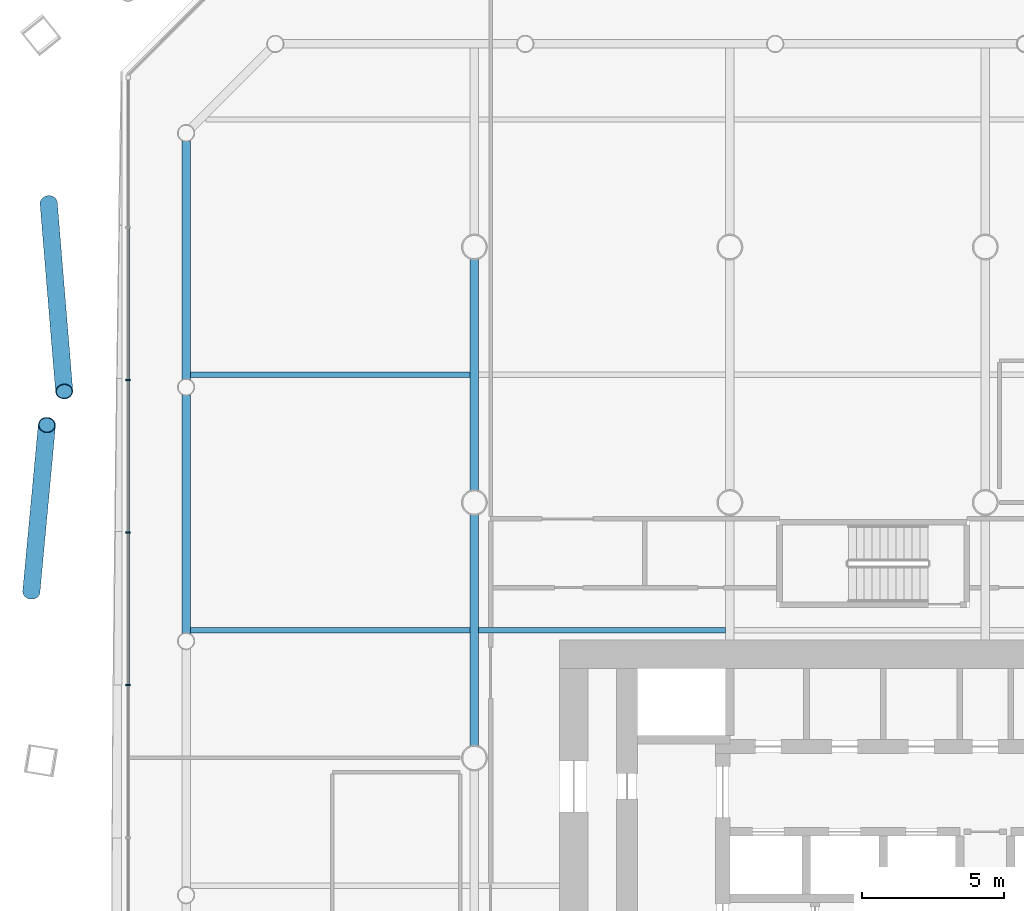
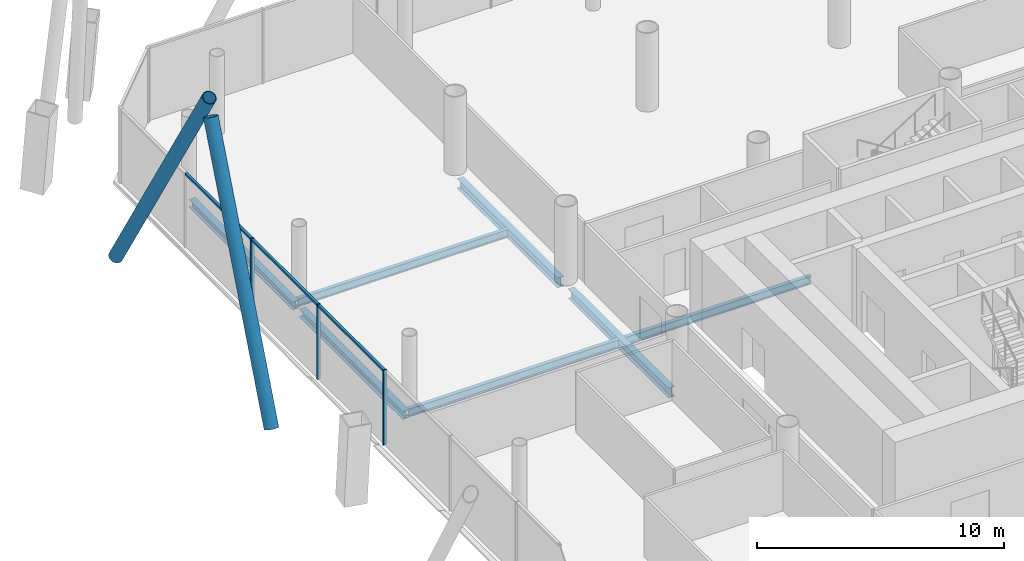
# One storey, part 10 of 25: 8 members, 7 beams, 1 element without a shape of its own.
"""IFC4 building model written with IfcOpenShell, lengths in metres."""

from ifc_helpers import new_model, si_unit, direction, frame, origin, origin_2d, place, context, subcontext, project, spatial, rectangle, hollow_circle, i_section, extrude, material, material_profile, profile_set, type_object, element, aggregate, save


model = new_model("IFC4")

# Units and contexts
model_context = context("Model", 3, precision=1e-05, world=origin(), true_north=direction((0.0, 1.0)))
body_context = subcontext(model_context, "Body", "Model", "MODEL_VIEW")
ifc_project = project(units=[si_unit("LENGTHUNIT", "METRE"), si_unit("AREAUNIT", "SQUARE_METRE"), si_unit("VOLUMEUNIT", "CUBIC_METRE"), si_unit("PLANEANGLEUNIT", "RADIAN"), si_unit("MASSUNIT", "GRAM", prefix="KILO")], contexts=[model_context])

# Site, building, storey
site_placement = place(None, origin())
site = spatial("IfcSite", under=ifc_project, at=site_placement, CompositionType="ELEMENT")
building_placement = place(site_placement, origin())
building = spatial("IfcBuilding", under=site, at=building_placement, Name="Tskaro Facet Tower", CompositionType="ELEMENT")
storey_placement = place(building_placement, frame((0.0, 0.0, 22.5)))
storey = spatial("IfcBuildingStorey", under=building, at=storey_placement, Name="L04", CompositionType="ELEMENT", Elevation=22.5)

# Members
ifc_material_1 = material(Name="Steel S355J2H", Category="steel")
ifc_material_profile_1 = material_profile(ifc_material_1, hollow_circle(Radius=0.304931640625, WallThickness=0.030029296875, at=origin_2d()), Name="CHS 610x30")
ifc_profile_set_1 = profile_set([ifc_material_profile_1], Name="Steel S355J2H")
member_type_1 = type_object("IfcMemberType", Name="CHS 610x30 brace", PredefinedType="BRACE", material=ifc_profile_set_1)
member_1_placement = place(storey_placement, frame((-32.997314453125, 19.546142578125, 0.0), z_axis=(0.040698346843, -0.492859882113, 0.869156361748), x_axis=(0.996607948035, 0.082295795231, 0.0)))
element("IfcMember", 1, at=member_1_placement, inside=storey, type_object=member_type_1, Name="CHS 610x30 XB10A/1", PredefinedType="BRACE", context=body_context, shape_type="SweptSolid", body=[
    extrude(hollow_circle(Radius=0.304931640625, WallThickness=0.030029296875, at=origin_2d()), origin(), (0.0, 0.0, 1.0), 13.461181640625),
])
member_2_placement = place(storey_placement, frame((-33.607177734375, 5.86572265625, 0.0), z_axis=(0.041803867485, 0.44778409282, 0.893163950728), x_axis=(-0.995670497029, 0.092953006112, 0.0)))
element("IfcMember", 2, at=member_2_placement, inside=storey, type_object=member_type_1, Name="CHS 610x30 XB10B/1", PredefinedType="BRACE", context=body_context, shape_type="SweptSolid", body=[
    extrude(hollow_circle(Radius=0.304931640625, WallThickness=0.030029296875, at=origin_2d()), origin(), (0.0, 0.0, 1.0), 13.099365234375),
])

# Curtain wall, members
ifc_material_2 = material(Name="Bronze anodised aluminium 6063-T6", Category="aluminium")
curtain_wall_type = type_object("IfcCurtainWallType", Name="Bronze office curtain wall (FW1)", PredefinedType="NOTDEFINED", material=ifc_material_2)
curtain_wall_placement = place(storey_placement, origin())
curtain_wall = element("IfcCurtainWall", 3, at=curtain_wall_placement, inside=storey, type_object=curtain_wall_type, Name="FW1 west facet L04", PredefinedType="NOTDEFINED")
ifc_material_profile_2 = material_profile(ifc_material_2, rectangle(XDim=0.06005859375, YDim=0.159912109375, at=origin_2d()), Name="Mullion 60x160")
ifc_profile_set_2 = profile_set([ifc_material_profile_2], Name="Bronze anodised aluminium 6063-T6")
member_type_2 = type_object("IfcMemberType", Name="FW1 bronze mullion 60x160", PredefinedType="MULLION", material=ifc_profile_set_2)
member_3_placement = place(storey_placement, frame((-30.201904296875, 13.31689453125, 0.0), z_axis=(0.0, 0.0, 1.0), x_axis=(0.0, -1.0, 0.0)))
member_3 = element("IfcMember", 4, at=member_3_placement, type_object=member_type_2, Name="FW1 west mullion 2", PredefinedType="MULLION", context=body_context, shape_type="SweptSolid", body=[
    extrude(rectangle(XDim=0.06005859375, YDim=0.159912109375, at=origin_2d()), origin(), (0.0, 0.0, 1.0), 3.699951171875),
])
member_4_placement = place(storey_placement, frame((-30.201904296875, 7.9423828125, 0.0), z_axis=(0.0, 0.0, 1.0), x_axis=(0.0, -1.0, 0.0)))
member_4 = element("IfcMember", 5, at=member_4_placement, type_object=member_type_2, Name="FW1 west mullion 3", PredefinedType="MULLION", context=body_context, shape_type="SweptSolid", body=[
    extrude(rectangle(XDim=0.06005859375, YDim=0.159912109375, at=origin_2d()), origin(), (0.0, 0.0, 1.0), 3.699951171875),
])
member_5_placement = place(storey_placement, frame((-30.201904296875, 2.56787109375, 0.0), z_axis=(0.0, 0.0, 1.0), x_axis=(0.0, -1.0, 0.0)))
member_5 = element("IfcMember", 6, at=member_5_placement, type_object=member_type_2, Name="FW1 west mullion 4", PredefinedType="MULLION", context=body_context, shape_type="SweptSolid", body=[
    extrude(rectangle(XDim=0.06005859375, YDim=0.159912109375, at=origin_2d()), origin(), (0.0, 0.0, 1.0), 3.699951171875),
])
ifc_material_profile_3 = material_profile(ifc_material_2, rectangle(XDim=0.1201171875, YDim=0.10009765625, at=origin_2d()), Name="Transom 120x100")
ifc_profile_set_3 = profile_set([ifc_material_profile_3], Name="Bronze anodised aluminium 6063-T6")
member_type_3 = type_object("IfcMemberType", Name="FW1 bronze transom 120x100", PredefinedType="USERDEFINED", material=ifc_profile_set_3)
member_6_placement = place(storey_placement, frame((-30.201904296875, 18.661376953125, 3.64990234375), z_axis=(0.0, -1.0, 0.0), x_axis=(1.0, 0.0, 0.0)))
member_6 = element("IfcMember", 7, at=member_6_placement, type_object=member_type_3, Name="FW1 west transom 2.1", ObjectType="TRANSOM", PredefinedType="USERDEFINED", context=body_context, shape_type="SweptSolid", body=[
    extrude(rectangle(XDim=0.1201171875, YDim=0.10009765625, at=origin_2d()), origin(), (0.0, 0.0, 1.0), 5.314453125),
])
member_7_placement = place(storey_placement, frame((-30.201904296875, 13.286865234375, 3.64990234375), z_axis=(0.0, -1.0, 0.0), x_axis=(1.0, 0.0, 0.0)))
member_7 = element("IfcMember", 8, at=member_7_placement, type_object=member_type_3, Name="FW1 west transom 3.1", ObjectType="TRANSOM", PredefinedType="USERDEFINED", context=body_context, shape_type="SweptSolid", body=[
    extrude(rectangle(XDim=0.1201171875, YDim=0.10009765625, at=origin_2d()), origin(), (0.0, 0.0, 1.0), 5.314453125),
])
member_8_placement = place(storey_placement, frame((-30.201904296875, 7.912353515625, 3.64990234375), z_axis=(0.0, -1.0, 0.0), x_axis=(1.0, 0.0, 0.0)))
member_8 = element("IfcMember", 9, at=member_8_placement, type_object=member_type_3, Name="FW1 west transom 4.1", ObjectType="TRANSOM", PredefinedType="USERDEFINED", context=body_context, shape_type="SweptSolid", body=[
    extrude(rectangle(XDim=0.1201171875, YDim=0.10009765625, at=origin_2d()), origin(), (0.0, 0.0, 1.0), 5.314697265625),
])
aggregate(curtain_wall, [member_3, member_4, member_5, member_6, member_7, member_8])

# Beams
ifc_material_3 = material(Name="Steel S355J2", Category="steel")
ifc_material_profile_4 = material_profile(ifc_material_3, i_section(OverallWidth=0.300048828125, OverallDepth=0.39990234375, WebThickness=0.013427734375, FlangeThickness=0.02392578125, FilletRadius=0.027099609375, at=origin_2d()), Name="HE 400 B")
ifc_profile_set_4 = profile_set([ifc_material_profile_4], Name="Steel S355J2")
beam_type_1 = type_object("IfcBeamType", Name="HE 400 B ring beam", PredefinedType="BEAM", material=ifc_profile_set_4)
for number, where, z_axis, x_axis, name in (
    (10, (-28.156982421875, 21.737060546875, -0.340087890625), (0.0, -1.0, 0.0), (1.0, 0.0, 0.0), "HE 400 B EB20-1"),
    (11, (-28.156982421875, 12.7890625, -0.340087890625), (0.0, -1.0, 0.0), (1.0, 0.0, 0.0), "HE 400 B EB21-1"),
):
    element("IfcBeam", number, at=place(storey_placement, frame(where, z_axis=z_axis, x_axis=x_axis)), inside=storey, type_object=beam_type_1, Name=name, PredefinedType="BEAM", context=body_context, shape_type="SweptSolid", body=[
        extrude(i_section(OverallWidth=0.300048828125, OverallDepth=0.39990234375, WebThickness=0.013427734375, FlangeThickness=0.02392578125, FilletRadius=0.027099609375, at=origin_2d()), origin(), (0.0, 0.0, 1.0), 8.39794921875),
    ])
ifc_material_profile_5 = material_profile(ifc_material_3, i_section(OverallWidth=0.300048828125, OverallDepth=0.489990234375, WebThickness=0.011962890625, FlangeThickness=0.02294921875, FilletRadius=0.027099609375, at=origin_2d()), Name="HE 500 A")
ifc_profile_set_5 = profile_set([ifc_material_profile_5], Name="Steel S355J2")
beam_type_2 = type_object("IfcBeamType", Name="HE 500 A girder", PredefinedType="BEAM", material=ifc_profile_set_5)
for number, where, z_axis, x_axis, name in (
    (12, (-18.0, 0.42724609375, -0.385009765625), (0.0, 1.0, 0.0), (-1.0, 0.0, 0.0), "HE 500 A GB2-4-1"),
    (13, (-18.0, 9.42724609375, -0.385009765625), (0.0, 1.0, 0.0), (-1.0, 0.0, 0.0), "HE 500 A GB2-5-1"),
):
    element("IfcBeam", number, at=place(storey_placement, frame(where, z_axis=z_axis, x_axis=x_axis)), inside=storey, type_object=beam_type_2, Name=name, PredefinedType="BEAM", context=body_context, shape_type="SweptSolid", body=[
        extrude(i_section(OverallWidth=0.300048828125, OverallDepth=0.489990234375, WebThickness=0.011962890625, FlangeThickness=0.02294921875, FilletRadius=0.027099609375, at=origin_2d()), origin(), (0.0, 0.0, 1.0), 8.1455078125),
    ])
ifc_material_profile_6 = material_profile(ifc_material_3, i_section(OverallWidth=0.179931640625, OverallDepth=0.39990234375, WebThickness=0.008544921875, FlangeThickness=0.013427734375, FilletRadius=0.02099609375, at=origin_2d()), Name="IPE 400")
ifc_profile_set_6 = profile_set([ifc_material_profile_6], Name="Steel S355J2")
beam_type_3 = type_object("IfcBeamType", Name="IPE 400 secondary beam", PredefinedType="BEAM", material=ifc_profile_set_6)
beam_1_placement = place(storey_placement, frame((-28.007080078125, 4.5, -0.340087890625), z_axis=(1.0, 0.0, 0.0), x_axis=(0.0, 1.0, 0.0)))
element("IfcBeam", 14, at=beam_1_placement, inside=storey, type_object=beam_type_3, Name="IPE 400 SB4a-1-1", PredefinedType="BEAM", context=body_context, shape_type="SweptSolid", body=[
    extrude(i_section(OverallWidth=0.179931640625, OverallDepth=0.39990234375, WebThickness=0.008544921875, FlangeThickness=0.013427734375, FilletRadius=0.02099609375, at=origin_2d()), origin(), (0.0, 0.0, 1.0), 9.857177734375),
])
beam_2_placement = place(storey_placement, frame((-17.85009765625, 4.5, -0.340087890625), z_axis=(1.0, 0.0, 0.0), x_axis=(0.0, 1.0, 0.0)))
element("IfcBeam", 15, at=beam_2_placement, inside=storey, type_object=beam_type_3, Name="IPE 400 SB4a-2-1", PredefinedType="BEAM", context=body_context, shape_type="SweptSolid", body=[
    extrude(i_section(OverallWidth=0.179931640625, OverallDepth=0.39990234375, WebThickness=0.008544921875, FlangeThickness=0.013427734375, FilletRadius=0.02099609375, at=origin_2d()), origin(), (0.0, 0.0, 1.0), 8.7001953125),
])
beam_3_placement = place(storey_placement, frame((-28.007080078125, 13.5, -0.340087890625), z_axis=(1.0, 0.0, 0.0), x_axis=(0.0, 1.0, 0.0)))
element("IfcBeam", 16, at=beam_3_placement, inside=storey, type_object=beam_type_3, Name="IPE 400 SB5a-1-1", PredefinedType="BEAM", context=body_context, shape_type="SweptSolid", body=[
    extrude(i_section(OverallWidth=0.179931640625, OverallDepth=0.39990234375, WebThickness=0.008544921875, FlangeThickness=0.013427734375, FilletRadius=0.02099609375, at=origin_2d()), origin(), (0.0, 0.0, 1.0), 9.857177734375),
])

save(model, "model.ifc")
